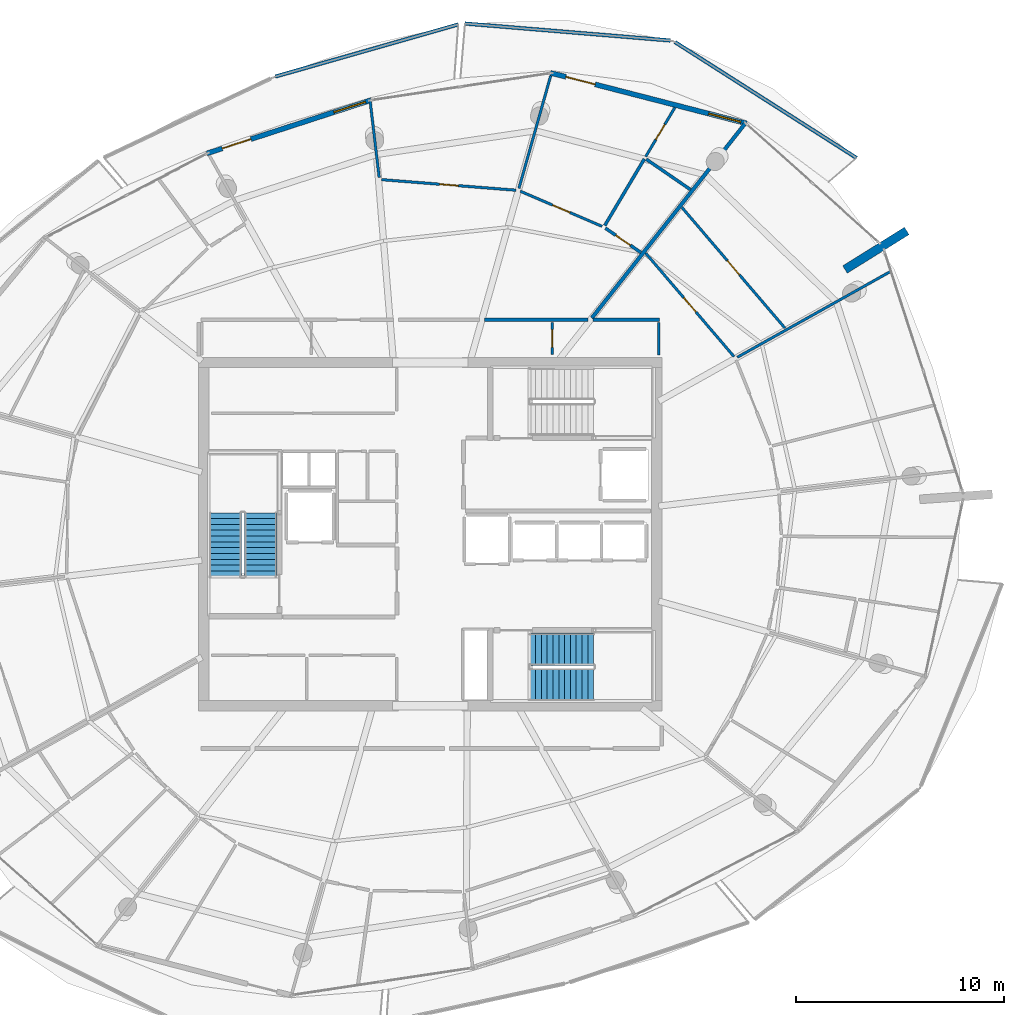
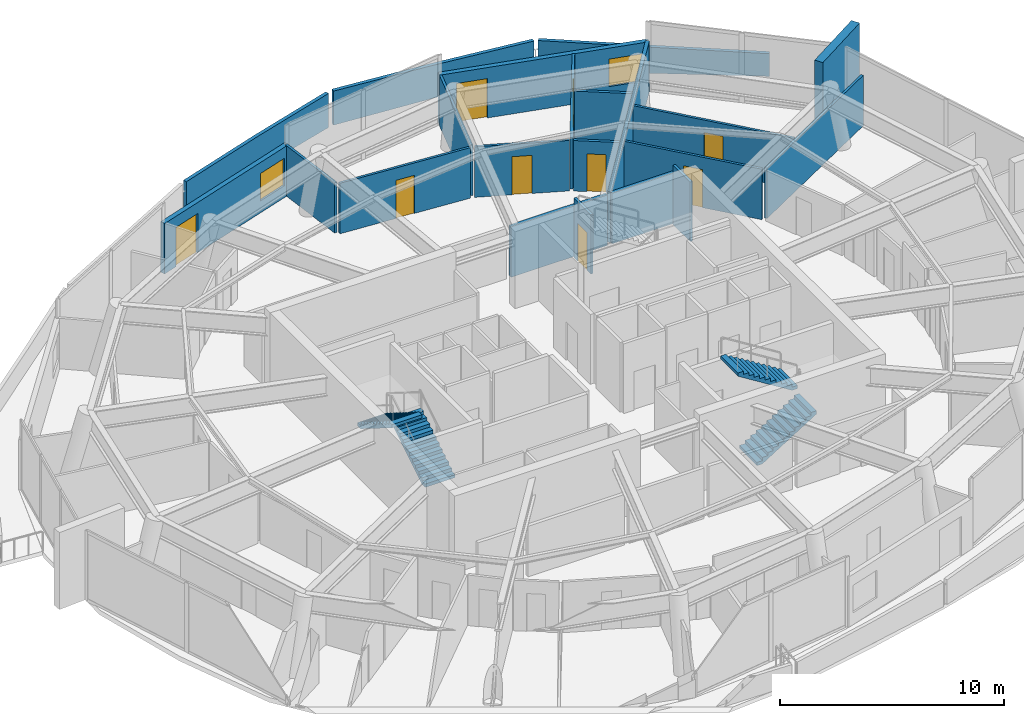
# One storey, part 13 of 19: 22 walls, 9 doors, 4 stair flights, 2 windows, 11 openings, 2 elements without a shape of their own.
"""IFC4 building model written with IfcOpenShell, lengths in metres."""

from ifc_helpers import new_model, si_unit, direction, frame, frame_2d, origin, place, context, subcontext, project, spatial, polyline, rectangle, outline, extrude, material, layer, layer_set, type_object, element, fill, aggregate, save


model = new_model("IFC4")

# Units and contexts
model_context = context("Model", 3, precision=1e-05, world=origin(), true_north=direction((0.0, 1.0)))
body_context = subcontext(model_context, "Body", "Model", "MODEL_VIEW")
ifc_project = project(units=[si_unit("LENGTHUNIT", "METRE"), si_unit("AREAUNIT", "SQUARE_METRE"), si_unit("VOLUMEUNIT", "CUBIC_METRE"), si_unit("PLANEANGLEUNIT", "RADIAN"), si_unit("MASSUNIT", "GRAM", prefix="KILO")], contexts=[model_context])

# Site, building, storey
site_placement = place(None, origin())
site = spatial("IfcSite", under=ifc_project, at=site_placement, CompositionType="ELEMENT")
building_placement = place(site_placement, origin())
building = spatial("IfcBuilding", under=site, at=building_placement, Name="Kazma Halo Residences", CompositionType="ELEMENT")
storey_placement = place(building_placement, frame((0.0, 0.0, 347.300048828125)))
storey = spatial("IfcBuildingStorey", under=building, at=storey_placement, Name="L87", CompositionType="ELEMENT", Elevation=347.300048828125)

# Walls
ifc_material_1 = material(Name="White Concrete C50/60 Balustrade", Category="concrete")
ifc_layer_1 = layer(ifc_material_1, 0.179931640625)
ifc_layer_set_1 = layer_set([ifc_layer_1], Name="White Concrete C50/60 Balustrade")
wall_type_1 = type_object("IfcWallType", Name="WL-BAL-WAVE-180", PredefinedType="PARAPET", material=ifc_layer_set_1)
wall_1_placement = place(storey_placement, frame((68.906982421875, 60.078369140625, 0.0), z_axis=(0.0, 0.0, 1.0), x_axis=(-0.842921526724, 0.538036522725, 0.0)))
element("IfcWall", 1, at=wall_1_placement, inside=storey, type_object=wall_type_1, Name="L87 white wave balustrade wall NE.1", PredefinedType="PARAPET", context=body_context, shape_type="SweptSolid", body=[
    extrude(outline(polyline([(0.0, 0.0), (10.349853515625, 0.0), (10.349853515625, 1.6318359375), (5.1748046875, 1.41796875), (0.0, 1.23291015625), (0.0, 0.0)])), frame((0.0, 0.08984375, 0.0), z_axis=(0.0, -1.0, 0.0), x_axis=(1.0, 0.0, 0.0)), (0.0, 0.0, 1.0), 0.179931640625),
])
wall_2_placement = place(storey_placement, frame((59.9619140625, 65.721435546875, 0.0), z_axis=(0.0, 0.0, 1.0), x_axis=(-0.996605284171, 0.082328048458, 0.0)))
element("IfcWall", 2, at=wall_2_placement, inside=storey, type_object=wall_type_1, Name="L87 white wave balustrade wall NE.2", PredefinedType="PARAPET", context=body_context, shape_type="SweptSolid", body=[
    extrude(outline(polyline([(0.0, 0.0), (9.91357421875, 0.0), (9.913818359375, 1.85986328125), (4.956787109375, 1.7978515625), (0.0, 1.6318359375), (0.0, 0.0)])), frame((0.0, 0.08984375, 0.0), z_axis=(0.0, -1.0, 0.0), x_axis=(1.0, 0.0, 0.0)), (0.0, 0.0, 1.0), 0.179931640625),
])
wall_3_placement = place(storey_placement, frame((49.77734375, 66.4951171875, 0.0), z_axis=(0.0, 0.0, 1.0), x_axis=(-0.961726156865, -0.274012407023, 0.0)))
element("IfcWall", 3, at=wall_3_placement, inside=storey, type_object=wall_type_1, Name="L87 white wave balustrade wall NNW.1", PredefinedType="PARAPET", context=body_context, shape_type="SweptSolid", body=[
    extrude(outline(polyline([(0.0, 0.0), (9.14599609375, 0.0), (9.14599609375, 1.6318359375), (4.572998046875, 1.7978515625), (0.0, 1.85986328125), (0.0, 0.0)])), frame((0.0, 0.08984375, 0.0), z_axis=(0.0, -1.0, 0.0), x_axis=(1.0, 0.0, 0.0)), (0.0, 0.0, 1.0), 0.179931640625),
])
ifc_material_2 = material(Name="Pale Concrete C60/75", Category="concrete")
ifc_layer_2 = layer(ifc_material_2, 0.419921875)
ifc_layer_set_2 = layer_set([ifc_layer_2], Name="Pale Concrete C60/75")
wall_type_2 = type_object("IfcWallType", Name="WL-BLADE-420", PredefinedType="SOLIDWALL", material=ifc_layer_set_2)
wall_4_placement = place(storey_placement, frame((68.3525390625, 54.7177734375, 0.0), z_axis=(0.0, 0.0, 1.0), x_axis=(0.848053161125, 0.529911158502, 0.0)))
element("IfcWall", 4, at=wall_4_placement, inside=storey, type_object=wall_type_2, Name="L87 pale concrete structural blade fin wall BW-01", PredefinedType="SOLIDWALL", context=body_context, shape_type="SweptSolid", body=[
    extrude(rectangle(XDim=3.5, YDim=0.419921875, at=frame_2d((1.75, 0.0))), origin(), (0.0, 0.0, 1.0), 4.199951171875),
])
ifc_material_3 = material(Name="Acoustic Twin-Stud Gypsum")
ifc_layer_3 = layer(ifc_material_3, 0.179931640625)
ifc_layer_set_3 = layer_set([ifc_layer_3], Name="Acoustic Twin-Stud Gypsum")
wall_type_3 = type_object("IfcWallType", Name="WL-DEM-180", PredefinedType="PARTITIONING", material=ifc_layer_set_3)
wall_5_placement = place(storey_placement, frame((56.18798828125, 52.386474609375, 0.0), z_axis=(0.0, 0.0, 1.0), x_axis=(0.619092742501, 0.78531788225, 0.0)))
element("IfcWall", 5, at=wall_5_placement, inside=storey, type_object=wall_type_3, Name="L87 apartment demising radial wall 01", PredefinedType="PARTITIONING", context=body_context, shape_type="SweptSolid", body=[
    extrude(rectangle(XDim=11.901123046875, YDim=0.179931640625, at=frame_2d((5.95068359375, 0.0))), origin(), (0.0, 0.0, 1.0), 2.7568359375),
])
wall_6_placement = place(storey_placement, frame((56.0, 52.300048828125, 0.0), z_axis=(0.0, 0.0, 1.0), x_axis=(-1.0, 0.0, 0.0)))
element("IfcWall", 6, at=wall_6_placement, inside=storey, type_object=wall_type_3, Name="L87 Penthouse 1 inner wall 1", PredefinedType="PARTITIONING", context=body_context, shape_type="SweptSolid", body=[
    extrude(rectangle(XDim=4.97509765625, YDim=0.179931640625, at=frame_2d((2.487548828125, 0.0))), origin(), (0.0, 0.0, 1.0), 2.7568359375),
])
wall_7_placement = place(storey_placement, frame((59.429931640625, 52.300048828125, 0.0), z_axis=(0.0, 0.0, 1.0), x_axis=(-1.0, 0.0, 0.0)))
element("IfcWall", 7, at=wall_7_placement, inside=storey, type_object=wall_type_3, Name="L87 Penthouse 2 inner wall 0", PredefinedType="PARTITIONING", context=body_context, shape_type="SweptSolid", body=[
    extrude(rectangle(XDim=3.18994140625, YDim=0.179931640625, at=frame_2d((1.594970703125, 0.0))), origin(), (0.0, 0.0, 1.0), 2.7568359375),
])

# Wall, openings, door, window
ifc_material_4 = material(Name="Insulated Pale-Metal Composite Wall")
ifc_layer_4 = layer(ifc_material_4, 0.239990234375)
ifc_layer_set_4 = layer_set([ifc_layer_4], Name="Insulated Pale-Metal Composite Wall")
wall_type_4 = type_object("IfcWallType", Name="WL-EXT-HOST-240", PredefinedType="SOLIDWALL", material=ifc_layer_set_4)
wall_8_placement = place(storey_placement, frame((63.619873046875, 61.73974609375, 0.0), z_axis=(0.0, 0.0, 1.0), x_axis=(-0.968389076094, 0.249444577616, 0.0)))
wall_8 = element("IfcWall", 8, at=wall_8_placement, inside=storey, type_object=wall_type_4, Name="L87 exterior terrace-access wall B02", PredefinedType="SOLIDWALL", context=body_context, shape_type="SweptSolid", body=[
    extrude(rectangle(XDim=9.727783203125, YDim=0.239990234375, at=frame_2d((4.86376953125, 0.0))), origin(), (0.0, 0.0, 1.0), 2.75),
])
opening_1_placement = place(wall_8_placement, frame((7.5078125, 0.0, 0.0)))
opening_1 = element("IfcOpeningElement", 9, at=opening_1_placement, cuts=wall_8, Name="Opening DTR-1600", PredefinedType="OPENING", context=body_context, shape_type="SweptSolid", body=[
    extrude(rectangle(XDim=1.449951171875, YDim=2.14990234375, at=frame_2d((0.72509765625, 1.074951171875))), frame((0.0, 0.1298828125, 0.0), z_axis=(0.0, -1.0, 0.0), x_axis=(1.0, 0.0, 0.0)), (0.0, 0.0, 1.0), 0.260009765625),
])
opening_2_placement = place(wall_8_placement, frame((0.280029296875, 0.0, 0.64990234375)))
opening_2 = element("IfcOpeningElement", 10, at=opening_2_placement, cuts=wall_8, Name="Opening W-1800", PredefinedType="OPENING", context=body_context, shape_type="SweptSolid", body=[
    extrude(rectangle(XDim=1.60009765625, YDim=1.5, at=frame_2d((0.800048828125, 0.75))), frame((0.0, 0.1298828125, 0.0), z_axis=(0.0, -1.0, 0.0), x_axis=(1.0, 0.0, 0.0)), (0.0, 0.0, 1.0), 0.260009765625),
])
ifc_material_5 = material(Name="Aluminium AW-6063 T6 Double-Glazed Terrace Door", Category="aluminium")
door_type_1 = type_object("IfcDoorType", Name="DR-EXT-TERR-1600", OperationType="NOTDEFINED", PredefinedType="DOOR", material=ifc_material_5)
door_1_placement = place(opening_1_placement, origin())
door_1 = element("IfcDoor", 11, at=door_1_placement, inside=storey, type_object=door_type_1, Name="L87 B02 balcony terrace door", OperationType="DOUBLE_DOOR_SLIDING", OverallHeight=2.14990234375, OverallWidth=1.449951171875, PredefinedType="DOOR", context=body_context, shape_type="SweptSolid", body=[
    extrude(rectangle(XDim=1.449951171875, YDim=2.14990234375, at=frame_2d((0.72509765625, 1.074951171875))), frame((0.0, 0.02490234375, 0.0), z_axis=(0.0, -1.0, 0.0), x_axis=(1.0, 0.0, 0.0)), (0.0, 0.0, 1.0), 0.050048828125),
])
fill(opening_1, door_1)
ifc_material_6 = material(Name="Clear Triple-Silver Low-E Glass in Aluminium AW-6063 T6 Frame", Category="aluminium")
window_type = type_object("IfcWindowType", Name="WIN-RES-1800", PartitioningType="DOUBLE_PANEL_VERTICAL", PredefinedType="WINDOW", material=ifc_material_6)
window_1_placement = place(opening_2_placement, origin())
window_1 = element("IfcWindow", 12, at=window_1_placement, inside=storey, type_object=window_type, Name="L87 B02 apartment window", OverallHeight=1.5, OverallWidth=1.60009765625, PartitioningType="SINGLE_PANEL", PredefinedType="WINDOW", context=body_context, shape_type="SweptSolid", body=[
    extrude(rectangle(XDim=1.60009765625, YDim=1.5, at=frame_2d((0.800048828125, 0.75))), frame((0.0, 0.030029296875, 0.0), z_axis=(0.0, -1.0, 0.0), x_axis=(1.0, 0.0, 0.0)), (0.0, 0.0, 1.0), 0.06005859375),
])
fill(opening_2, window_1)

wall_9_placement = place(storey_placement, frame((45.580810546875, 62.857421875, 0.0), z_axis=(0.0, 0.0, 1.0), x_axis=(-0.951053547111, -0.309026132434, 0.0)))
wall_9 = element("IfcWall", 13, at=wall_9_placement, inside=storey, type_object=wall_type_4, Name="L87 exterior terrace-access wall B04", PredefinedType="SOLIDWALL", context=body_context, shape_type="SweptSolid", body=[
    extrude(rectangle(XDim=8.2890625, YDim=0.239990234375, at=frame_2d((4.14453125, 0.0))), origin(), (0.0, 0.0, 1.0), 2.75),
])
opening_3_placement = place(wall_9_placement, frame((6.06884765625, 0.0, 0.0)))
opening_3 = element("IfcOpeningElement", 14, at=opening_3_placement, cuts=wall_9, Name="Opening DTR-1600", PredefinedType="OPENING", context=body_context, shape_type="SweptSolid", body=[
    extrude(rectangle(XDim=1.449951171875, YDim=2.14990234375, at=frame_2d((0.72509765625, 1.074951171875))), frame((0.0, 0.1298828125, 0.0), z_axis=(0.0, -1.0, 0.0), x_axis=(1.0, 0.0, 0.0)), (0.0, 0.0, 1.0), 0.260009765625),
])
opening_4_placement = place(wall_9_placement, frame((0.280029296875, 0.0, 0.64990234375)))
opening_4 = element("IfcOpeningElement", 15, at=opening_4_placement, cuts=wall_9, Name="Opening W-1800", PredefinedType="OPENING", context=body_context, shape_type="SweptSolid", body=[
    extrude(rectangle(XDim=1.60009765625, YDim=1.5, at=frame_2d((0.800048828125, 0.75))), frame((0.0, 0.1298828125, 0.0), z_axis=(0.0, -1.0, 0.0), x_axis=(1.0, 0.0, 0.0)), (0.0, 0.0, 1.0), 0.260009765625),
])
door_2_placement = place(opening_3_placement, origin())
door_2 = element("IfcDoor", 16, at=door_2_placement, inside=storey, type_object=door_type_1, Name="L87 B04 balcony terrace door", OperationType="DOUBLE_DOOR_SLIDING", OverallHeight=2.14990234375, OverallWidth=1.449951171875, PredefinedType="DOOR", context=body_context, shape_type="SweptSolid", body=[
    extrude(rectangle(XDim=1.449951171875, YDim=2.14990234375, at=frame_2d((0.72509765625, 1.074951171875))), frame((0.0, 0.02490234375, 0.0), z_axis=(0.0, -1.0, 0.0), x_axis=(1.0, 0.0, 0.0)), (0.0, 0.0, 1.0), 0.050048828125),
])
fill(opening_3, door_2)
window_2_placement = place(opening_4_placement, origin())
window_2 = element("IfcWindow", 17, at=window_2_placement, inside=storey, type_object=window_type, Name="L87 B04 apartment window", OverallHeight=1.5, OverallWidth=1.60009765625, PartitioningType="SINGLE_PANEL", PredefinedType="WINDOW", context=body_context, shape_type="SweptSolid", body=[
    extrude(rectangle(XDim=1.60009765625, YDim=1.5, at=frame_2d((0.800048828125, 0.75))), frame((0.0, 0.030029296875, 0.0), z_axis=(0.0, -1.0, 0.0), x_axis=(1.0, 0.0, 0.0)), (0.0, 0.0, 1.0), 0.06005859375),
])
fill(opening_4, window_2)

# Wall
ifc_material_7 = material(Name="Gypsum Plasterboard Partition")
ifc_layer_5 = layer(ifc_material_7, 0.125)
ifc_layer_set_5 = layer_set([ifc_layer_5], Name="Gypsum Plasterboard Partition")
wall_type_5 = type_object("IfcWallType", Name="WL-PART-125", PredefinedType="PARTITIONING", material=ifc_layer_set_5)
wall_10_placement = place(storey_placement, frame((59.409912109375, 50.6201171875, 0.0), z_axis=(0.0, 0.0, 1.0), x_axis=(0.0, 1.0, 0.0)))
element("IfcWall", 18, at=wall_10_placement, inside=storey, type_object=wall_type_5, Name="L87 east cupboard end wall", PredefinedType="PARTITIONING", context=body_context, shape_type="SweptSolid", body=[
    extrude(rectangle(XDim=1.539794921875, YDim=0.125, at=frame_2d((0.77001953125, 0.0))), origin(), (0.0, 0.0, 1.0), 3.239990234375),
])

# Wall, opening, door
wall_11_placement = place(storey_placement, frame((54.2900390625, 50.639892578125, 0.0), z_axis=(0.0, 0.0, 1.0), x_axis=(0.0, 1.0, 0.0)))
wall_11 = element("IfcWall", 19, at=wall_11_placement, inside=storey, type_object=wall_type_5, Name="L87 floor metering cupboard door wall", PredefinedType="PARTITIONING", context=body_context, shape_type="SweptSolid", body=[
    extrude(rectangle(XDim=1.52001953125, YDim=0.125, at=frame_2d((0.760009765625, 0.0))), origin(), (0.0, 0.0, 1.0), 3.239990234375),
])
opening_5_placement = place(wall_11_placement, frame((0.3349609375, 0.0, 0.0)))
opening_5 = element("IfcOpeningElement", 20, at=opening_5_placement, cuts=wall_11, Name="Opening DS-850", PredefinedType="OPENING", context=body_context, shape_type="SweptSolid", body=[
    extrude(rectangle(XDim=0.85009765625, YDim=2.06005859375, at=frame_2d((0.425048828125, 1.030029296875))), frame((0.0, 0.072509765625, 0.0), z_axis=(0.0, -1.0, 0.0), x_axis=(1.0, 0.0, 0.0)), (0.0, 0.0, 1.0), 0.14501953125),
])
ifc_material_8 = material(Name="Painted Steel Access Leaf", Category="steel")
door_type_2 = type_object("IfcDoorType", Name="DR-SVC-850", OperationType="NOTDEFINED", PredefinedType="DOOR", material=ifc_material_8)
door_3_placement = place(opening_5_placement, origin())
door_3 = element("IfcDoor", 21, at=door_3_placement, inside=storey, type_object=door_type_2, Name="L87 floor cupboard door", OperationType="SINGLE_SWING_LEFT", OverallHeight=2.06005859375, OverallWidth=0.85009765625, PredefinedType="DOOR", context=body_context, shape_type="SweptSolid", body=[
    extrude(rectangle(XDim=0.85009765625, YDim=2.06005859375, at=frame_2d((0.425048828125, 1.030029296875))), frame((0.0, 0.02490234375, 0.0), z_axis=(0.0, -1.0, 0.0), x_axis=(1.0, 0.0, 0.0)), (0.0, 0.0, 1.0), 0.050048828125),
])
fill(opening_5, door_3)

wall_12_placement = place(storey_placement, frame((58.778076171875, 60.14306640625, 0.0), z_axis=(0.0, 0.0, 1.0), x_axis=(0.510643596404, 0.85979248511, 0.0)))
wall_12 = element("IfcWall", 22, at=wall_12_placement, inside=storey, type_object=wall_type_5, Name="L87 Penthouse 1 Utility Laundry Room partition wall", PredefinedType="PARTITIONING", context=body_context, shape_type="SweptSolid", body=[
    extrude(rectangle(XDim=2.743896484375, YDim=0.125, at=frame_2d((1.3720703125, 0.0))), origin(), (0.0, 0.0, 1.0), 2.77490234375),
])
opening_6_placement = place(wall_12_placement, frame((0.947021484375, 0.0, 0.0)))
opening_6 = element("IfcOpeningElement", 23, at=opening_6_placement, cuts=wall_12, Name="Opening DB-900", PredefinedType="OPENING", context=body_context, shape_type="SweptSolid", body=[
    extrude(rectangle(XDim=0.85009765625, YDim=2.06005859375, at=frame_2d((0.425048828125, 1.030029296875))), frame((0.0, 0.072509765625, 0.0), z_axis=(0.0, -1.0, 0.0), x_axis=(1.0, 0.0, 0.0)), (0.0, 0.0, 1.0), 0.14501953125),
])
ifc_material_9 = material(Name="Moisture-Sealed Timber Leaf", Category="wood")
door_type_3 = type_object("IfcDoorType", Name="DR-BTH-900", OperationType="NOTDEFINED", PredefinedType="DOOR", material=ifc_material_9)
door_4_placement = place(opening_6_placement, origin())
door_4 = element("IfcDoor", 24, at=door_4_placement, inside=storey, type_object=door_type_3, Name="L87 Penthouse 1 Utility Laundry Room door", OperationType="SINGLE_SWING_RIGHT", OverallHeight=2.06005859375, OverallWidth=0.85009765625, PredefinedType="DOOR", context=body_context, shape_type="SweptSolid", body=[
    extrude(rectangle(XDim=0.85009765625, YDim=2.06005859375, at=frame_2d((0.425048828125, 1.030029296875))), frame((0.0, 0.02490234375, 0.0), z_axis=(0.0, -1.0, 0.0), x_axis=(1.0, 0.0, 0.0)), (0.0, 0.0, 1.0), 0.050048828125),
])
fill(opening_6, door_4)

wall_13_placement = place(storey_placement, frame((56.68310546875, 56.791259765625, 0.0), z_axis=(0.0, 0.0, 1.0), x_axis=(-0.918926533299, 0.394428734246, 0.0)))
wall_13 = element("IfcWall", 25, at=wall_13_placement, inside=storey, type_object=wall_type_5, Name="L87 Penthouse 1 Gourmet Kitchen hall wall", PredefinedType="PARTITIONING", context=body_context, shape_type="SweptSolid", body=[
    extrude(rectangle(XDim=4.279541015625, YDim=0.125, at=frame_2d((2.1396484375, 0.0))), origin(), (0.0, 0.0, 1.0), 2.7568359375),
])
opening_7_placement = place(wall_13_placement, frame((1.689697265625, 0.0, 0.0)))
opening_7 = element("IfcOpeningElement", 26, at=opening_7_placement, cuts=wall_13, Name="Opening DI-950", PredefinedType="OPENING", context=body_context, shape_type="SweptSolid", body=[
    extrude(rectangle(XDim=0.89990234375, YDim=2.080078125, at=frame_2d((0.449951171875, 1.0400390625))), frame((0.0, 0.072509765625, 0.0), z_axis=(0.0, -1.0, 0.0), x_axis=(1.0, 0.0, 0.0)), (0.0, 0.0, 1.0), 0.14501953125),
])
ifc_material_10 = material(Name="Timber Veneer Flush Leaf", Category="wood")
door_type_4 = type_object("IfcDoorType", Name="DR-INT-950", OperationType="NOTDEFINED", PredefinedType="DOOR", material=ifc_material_10)
door_5_placement = place(opening_7_placement, origin())
door_5 = element("IfcDoor", 27, at=door_5_placement, inside=storey, type_object=door_type_4, Name="L87 Penthouse 1 Gourmet Kitchen door", OperationType="SINGLE_SWING_LEFT", OverallHeight=2.080078125, OverallWidth=0.89990234375, PredefinedType="DOOR", context=body_context, shape_type="SweptSolid", body=[
    extrude(rectangle(XDim=0.89990234375, YDim=2.080078125, at=frame_2d((0.449951171875, 1.0400390625))), frame((0.0, 0.02490234375, 0.0), z_axis=(0.0, -1.0, 0.0), x_axis=(1.0, 0.0, 0.0)), (0.0, 0.0, 1.0), 0.050048828125),
])
fill(opening_7, door_5)

# Walls
wall_14_placement = place(storey_placement, frame((52.685791015625, 58.61474609375, 0.0), z_axis=(0.0, 0.0, 1.0), x_axis=(0.271455015282, 0.962451128462, 0.0)))
element("IfcWall", 28, at=wall_14_placement, inside=storey, type_object=wall_type_5, Name="L87 Penthouse 1 radial partition 2", PredefinedType="PARTITIONING", context=body_context, shape_type="SweptSolid", body=[
    extrude(rectangle(XDim=5.630126953125, YDim=0.125, at=frame_2d((2.81494140625, 0.0))), origin(), (0.0, 0.0, 1.0), 2.7568359375),
])
wall_15_placement = place(storey_placement, frame((45.970947265625, 59.143310546875, 0.0), z_axis=(0.0, 0.0, 1.0), x_axis=(-0.117541965763, 0.99306791625, 0.0)))
element("IfcWall", 29, at=wall_15_placement, inside=storey, type_object=wall_type_5, Name="L87 Penthouse 1 living radial partition 2", PredefinedType="PARTITIONING", context=body_context, shape_type="SweptSolid", body=[
    extrude(rectangle(XDim=3.69921875, YDim=0.125, at=frame_2d((1.849609375, 0.0))), origin(), (0.0, 0.0, 1.0), 2.7568359375),
])

# Wall, opening, door
wall_16_placement = place(storey_placement, frame((52.549072265625, 58.527099609375, 0.0), z_axis=(0.0, 0.0, 1.0), x_axis=(-0.996915635348, 0.078480672772, 0.0)))
wall_16 = element("IfcWall", 30, at=wall_16_placement, inside=storey, type_object=wall_type_5, Name="L87 Penthouse 1 East Formal Dining Room gallery wall", PredefinedType="PARTITIONING", context=body_context, shape_type="SweptSolid", body=[
    extrude(rectangle(XDim=6.476806640625, YDim=0.125, at=frame_2d((3.23828125, 0.0))), origin(), (0.0, 0.0, 1.0), 2.7568359375),
])
opening_8_placement = place(wall_16_placement, frame((2.788330078125, 0.0, 0.0)))
opening_8 = element("IfcOpeningElement", 31, at=opening_8_placement, cuts=wall_16, Name="Opening DI-950", PredefinedType="OPENING", context=body_context, shape_type="SweptSolid", body=[
    extrude(rectangle(XDim=0.89990234375, YDim=2.080078125, at=frame_2d((0.449951171875, 1.0400390625))), frame((0.0, 0.072509765625, 0.0), z_axis=(0.0, -1.0, 0.0), x_axis=(1.0, 0.0, 0.0)), (0.0, 0.0, 1.0), 0.14501953125),
])
door_6_placement = place(opening_8_placement, origin())
door_6 = element("IfcDoor", 32, at=door_6_placement, inside=storey, type_object=door_type_4, Name="L87 Penthouse 1 East Formal Dining Room door", OperationType="SINGLE_SWING_RIGHT", OverallHeight=2.080078125, OverallWidth=0.89990234375, PredefinedType="DOOR", context=body_context, shape_type="SweptSolid", body=[
    extrude(rectangle(XDim=0.89990234375, YDim=2.080078125, at=frame_2d((0.449951171875, 1.0400390625))), frame((0.0, 0.02490234375, 0.0), z_axis=(0.0, -1.0, 0.0), x_axis=(1.0, 0.0, 0.0)), (0.0, 0.0, 1.0), 0.050048828125),
])
fill(opening_8, door_6)

# Wall
wall_17_placement = place(storey_placement, frame((63.177978515625, 50.5, 0.0), z_axis=(0.0, 0.0, 1.0), x_axis=(0.872495656661, 0.488621867201, 0.0)))
element("IfcWall", 33, at=wall_17_placement, inside=storey, type_object=wall_type_5, Name="L87 Penthouse 2 radial partition 0", PredefinedType="PARTITIONING", context=body_context, shape_type="SweptSolid", body=[
    extrude(rectangle(XDim=8.439697265625, YDim=0.125, at=frame_2d((4.2197265625, 0.0))), origin(), (0.0, 0.0, 1.0), 2.7568359375),
])

# Wall, opening, door
wall_18_placement = place(storey_placement, frame((63.019287109375, 50.534912109375, 0.0), z_axis=(0.0, 0.0, 1.0), x_axis=(-0.649450715324, 0.760403687764, 0.0)))
wall_18 = element("IfcWall", 34, at=wall_18_placement, inside=storey, type_object=wall_type_5, Name="L87 Penthouse 2 North Study hall wall", PredefinedType="PARTITIONING", context=body_context, shape_type="SweptSolid", body=[
    extrude(rectangle(XDim=6.528564453125, YDim=0.125, at=frame_2d((3.26416015625, 0.0))), origin(), (0.0, 0.0, 1.0), 2.7568359375),
])
opening_9_placement = place(wall_18_placement, frame((2.814208984375, 0.0, 0.0)))
opening_9 = element("IfcOpeningElement", 35, at=opening_9_placement, cuts=wall_18, Name="Opening DI-950", PredefinedType="OPENING", context=body_context, shape_type="SweptSolid", body=[
    extrude(rectangle(XDim=0.89990234375, YDim=2.080078125, at=frame_2d((0.449951171875, 1.0400390625))), frame((0.0, 0.072509765625, 0.0), z_axis=(0.0, -1.0, 0.0), x_axis=(1.0, 0.0, 0.0)), (0.0, 0.0, 1.0), 0.14501953125),
])
door_7_placement = place(opening_9_placement, origin())
door_7 = element("IfcDoor", 36, at=door_7_placement, inside=storey, type_object=door_type_4, Name="L87 Penthouse 2 North Study door", OperationType="SINGLE_SWING_RIGHT", OverallHeight=2.080078125, OverallWidth=0.89990234375, PredefinedType="DOOR", context=body_context, shape_type="SweptSolid", body=[
    extrude(rectangle(XDim=0.89990234375, YDim=2.080078125, at=frame_2d((0.449951171875, 1.0400390625))), frame((0.0, 0.02490234375, 0.0), z_axis=(0.0, -1.0, 0.0), x_axis=(1.0, 0.0, 0.0)), (0.0, 0.0, 1.0), 0.050048828125),
])
fill(opening_9, door_7)

wall_19_placement = place(storey_placement, frame((65.466552734375, 51.905517578125, 0.0), z_axis=(0.0, 0.0, 1.0), x_axis=(-0.649439942486, 0.760412888571, 0.0)))
wall_19 = element("IfcWall", 37, at=wall_19_placement, inside=storey, type_object=wall_type_5, Name="L87 Penthouse 2 South Master Bedroom divider wall", PredefinedType="PARTITIONING", context=body_context, shape_type="SweptSolid", body=[
    extrude(rectangle(XDim=7.623046875, YDim=0.125, at=frame_2d((3.8115234375, 0.0))), origin(), (0.0, 0.0, 1.0), 2.7568359375),
])
opening_10_placement = place(wall_19_placement, frame((3.361572265625, 0.0, 0.0)))
opening_10 = element("IfcOpeningElement", 38, at=opening_10_placement, cuts=wall_19, Name="Opening DI-950", PredefinedType="OPENING", context=body_context, shape_type="SweptSolid", body=[
    extrude(rectangle(XDim=0.89990234375, YDim=2.080078125, at=frame_2d((0.449951171875, 1.0400390625))), frame((0.0, 0.072509765625, 0.0), z_axis=(0.0, -1.0, 0.0), x_axis=(1.0, 0.0, 0.0)), (0.0, 0.0, 1.0), 0.14501953125),
])
door_8_placement = place(opening_10_placement, origin())
door_8 = element("IfcDoor", 39, at=door_8_placement, inside=storey, type_object=door_type_4, Name="L87 Penthouse 2 South Master Bedroom door", OperationType="SINGLE_SWING_LEFT", OverallHeight=2.080078125, OverallWidth=0.89990234375, PredefinedType="DOOR", context=body_context, shape_type="SweptSolid", body=[
    extrude(rectangle(XDim=0.89990234375, YDim=2.080078125, at=frame_2d((0.449951171875, 1.0400390625))), frame((0.0, 0.02490234375, 0.0), z_axis=(0.0, -1.0, 0.0), x_axis=(1.0, 0.0, 0.0)), (0.0, 0.0, 1.0), 0.050048828125),
])
fill(opening_10, door_8)

ifc_material_11 = material(Name="Moisture-Resistant Gypsum")
ifc_layer_6 = layer(ifc_material_11, 0.14990234375)
ifc_layer_set_6 = layer_set([ifc_layer_6], Name="Moisture-Resistant Gypsum")
wall_type_6 = type_object("IfcWallType", Name="WL-WET-150", PredefinedType="PARTITIONING", material=ifc_layer_set_6)
wall_20_placement = place(storey_placement, frame((58.543212890625, 55.534912109375, 0.0), z_axis=(0.0, 0.0, 1.0), x_axis=(-0.824355515216, 0.566072419865, 0.0)))
wall_20 = element("IfcWall", 40, at=wall_20_placement, inside=storey, type_object=wall_type_6, Name="L87 Penthouse 1 Guest Bathroom hall wall", PredefinedType="PARTITIONING", context=body_context, shape_type="SweptSolid", body=[
    extrude(rectangle(XDim=2.06640625, YDim=0.14990234375, at=frame_2d((1.033203125, 0.0))), origin(), (0.0, 0.0, 1.0), 2.7568359375),
])
opening_11_placement = place(wall_20_placement, frame((0.608154296875, 0.0, 0.0)))
opening_11 = element("IfcOpeningElement", 41, at=opening_11_placement, cuts=wall_20, Name="Opening DB-900", PredefinedType="OPENING", context=body_context, shape_type="SweptSolid", body=[
    extrude(rectangle(XDim=0.85009765625, YDim=2.06005859375, at=frame_2d((0.425048828125, 1.030029296875))), frame((0.0, 0.0849609375, 0.0), z_axis=(0.0, -1.0, 0.0), x_axis=(1.0, 0.0, 0.0)), (0.0, 0.0, 1.0), 0.169921875),
])
door_9_placement = place(opening_11_placement, origin())
door_9 = element("IfcDoor", 42, at=door_9_placement, inside=storey, type_object=door_type_3, Name="L87 Penthouse 1 Guest Bathroom door", OperationType="SINGLE_SWING_LEFT", OverallHeight=2.06005859375, OverallWidth=0.85009765625, PredefinedType="DOOR", context=body_context, shape_type="SweptSolid", body=[
    extrude(rectangle(XDim=0.85009765625, YDim=2.06005859375, at=frame_2d((0.425048828125, 1.030029296875))), frame((0.0, 0.02490234375, 0.0), z_axis=(0.0, -1.0, 0.0), x_axis=(1.0, 0.0, 0.0)), (0.0, 0.0, 1.0), 0.050048828125),
])
fill(opening_11, door_9)

# Walls
wall_21_placement = place(storey_placement, frame((60.926513671875, 58.55859375, 0.0), z_axis=(0.0, 0.0, 1.0), x_axis=(-0.824349211277, 0.566081600007, 0.0)))
element("IfcWall", 43, at=wall_21_placement, inside=storey, type_object=wall_type_6, Name="L87 Penthouse 1 Guest Bathroom back wall", PredefinedType="PARTITIONING", context=body_context, shape_type="SweptSolid", body=[
    extrude(rectangle(XDim=2.572265625, YDim=0.14990234375, at=frame_2d((1.2861328125, 0.0))), origin(), (0.0, 0.0, 1.0), 2.7568359375),
])
wall_22_placement = place(storey_placement, frame((56.811767578125, 56.8330078125, 0.0), z_axis=(0.0, 0.0, 1.0), x_axis=(0.510726768545, 0.859743082491, 0.0)))
element("IfcWall", 44, at=wall_22_placement, inside=storey, type_object=wall_type_6, Name="L87 Penthouse 1 Guest Bathroom side wall", PredefinedType="PARTITIONING", context=body_context, shape_type="SweptSolid", body=[
    extrude(rectangle(XDim=3.719970703125, YDim=0.14990234375, at=frame_2d((1.85986328125, 0.0))), origin(), (0.0, 0.0, 1.0), 2.77490234375),
])

# Stair, stair flights
ifc_material_12 = material(Name="Concrete C50/60", Category="concrete")
stair_type = type_object("IfcStairType", Name="STR-RES2", PredefinedType="HALF_TURN_STAIR", material=ifc_material_12)
stair_1_placement = place(storey_placement, origin())
stair_1 = element("IfcStair", 45, at=stair_1_placement, inside=storey, type_object=stair_type, Name="L87 Core exit stair ST-01", PredefinedType="HALF_TURN_STAIR")
stair_flight_type = type_object("IfcStairFlightType", Name="STR-RES2-FLT", PredefinedType="STRAIGHT", material=ifc_material_12)
stair_flight_1_placement = place(storey_placement, frame((40.27490234375, 39.949951171875, 0.0), z_axis=(0.0, 0.0, 1.0), x_axis=(0.0, 1.0, 0.0)))
stair_flight_1 = element("IfcStairFlight", 46, at=stair_flight_1_placement, type_object=stair_flight_type, Name="ST-01 flight 1", NumberOfRisers=12, NumberOfTreads=11, PredefinedType="STRAIGHT", RiserHeight=0.175, TreadLength=0.28, context=body_context, shape_type="SweptSolid", body=[
    extrude(outline(polyline([(0.0, 0.0), (0.0, 0.175048828125), (0.280029296875, 0.175048828125), (0.280029296875, 0.35009765625), (0.56005859375, 0.35009765625), (0.56005859375, 0.52490234375), (0.840087890625, 0.52490234375), (0.840087890625, 0.699951171875), (1.1201171875, 0.699951171875), (1.1201171875, 0.875), (1.39990234375, 0.875), (1.39990234375, 1.050048828125), (1.679931640625, 1.050048828125), (1.679931640625, 1.22509765625), (1.9599609375, 1.22509765625), (1.9599609375, 1.39990234375), (2.239990234375, 1.39990234375), (2.239990234375, 1.574951171875), (2.52001953125, 1.574951171875), (2.52001953125, 1.75), (2.800048828125, 1.75), (2.800048828125, 1.925048828125), (3.080078125, 1.925048828125), (3.080078125, 2.10009765625), (3.080078125, 1.748291015625), (0.28271484375, 0.0), (0.0, 0.0)])), frame((0.0, 0.77490234375, 0.0), z_axis=(0.0, -1.0, 0.0), x_axis=(1.0, 0.0, 0.0)), (0.0, 0.0, 1.0), 1.550048828125),
])
stair_flight_2_placement = place(storey_placement, frame((38.574951171875, 43.030029296875, 2.099853515625), z_axis=(0.0, 0.0, 1.0), x_axis=(0.0, -1.0, 0.0)))
stair_flight_2 = element("IfcStairFlight", 47, at=stair_flight_2_placement, type_object=stair_flight_type, Name="ST-01 flight 2", NumberOfRisers=12, NumberOfTreads=11, PredefinedType="STRAIGHT", RiserHeight=0.175, TreadLength=0.28, context=body_context, shape_type="SweptSolid", body=[
    extrude(outline(polyline([(0.0, 0.0), (0.0, 0.175048828125), (0.280029296875, 0.175048828125), (0.280029296875, 0.35009765625), (0.56005859375, 0.35009765625), (0.56005859375, 0.52490234375), (0.840087890625, 0.52490234375), (0.840087890625, 0.699951171875), (1.1201171875, 0.699951171875), (1.1201171875, 0.875), (1.39990234375, 0.875), (1.39990234375, 1.050048828125), (1.679931640625, 1.050048828125), (1.679931640625, 1.22509765625), (1.9599609375, 1.22509765625), (1.9599609375, 1.39990234375), (2.239990234375, 1.39990234375), (2.239990234375, 1.574951171875), (2.52001953125, 1.574951171875), (2.52001953125, 1.75), (2.800048828125, 1.75), (2.800048828125, 1.925048828125), (3.080078125, 1.925048828125), (3.080078125, 2.10009765625), (3.080078125, 1.748291015625), (0.28271484375, 0.0), (0.0, 0.0)])), frame((0.0, 0.77490234375, 0.0), z_axis=(0.0, -1.0, 0.0), x_axis=(1.0, 0.0, 0.0)), (0.0, 0.0, 1.0), 1.550048828125),
])
aggregate(stair_1, [stair_flight_1, stair_flight_2])

stair_2_placement = place(storey_placement, origin())
stair_2 = element("IfcStair", 48, at=stair_2_placement, inside=storey, type_object=stair_type, Name="L87 Core exit stair ST-03", PredefinedType="HALF_TURN_STAIR")
stair_flight_3_placement = place(storey_placement, frame((53.199951171875, 34.77490234375, 0.0), z_axis=(0.0, 0.0, 1.0), x_axis=(1.0, 0.0, 0.0)))
stair_flight_3 = element("IfcStairFlight", 49, at=stair_flight_3_placement, type_object=stair_flight_type, Name="ST-03 flight 1", NumberOfRisers=12, NumberOfTreads=11, PredefinedType="STRAIGHT", RiserHeight=0.175, TreadLength=0.28, context=body_context, shape_type="SweptSolid", body=[
    extrude(outline(polyline([(0.0, 0.0), (0.0, 0.175048828125), (0.280029296875, 0.175048828125), (0.280029296875, 0.35009765625), (0.56005859375, 0.35009765625), (0.56005859375, 0.52490234375), (0.840087890625, 0.52490234375), (0.840087890625, 0.699951171875), (1.1201171875, 0.699951171875), (1.1201171875, 0.875), (1.39990234375, 0.875), (1.39990234375, 1.050048828125), (1.679931640625, 1.050048828125), (1.679931640625, 1.22509765625), (1.9599609375, 1.22509765625), (1.9599609375, 1.39990234375), (2.239990234375, 1.39990234375), (2.239990234375, 1.574951171875), (2.52001953125, 1.574951171875), (2.52001953125, 1.75), (2.800048828125, 1.75), (2.800048828125, 1.925048828125), (3.080078125, 1.925048828125), (3.080078125, 2.10009765625), (3.080078125, 1.748291015625), (0.28271484375, 0.0), (0.0, 0.0)])), frame((0.0, 0.77490234375, 0.0), z_axis=(0.0, -1.0, 0.0), x_axis=(1.0, 0.0, 0.0)), (0.0, 0.0, 1.0), 1.550048828125),
])
stair_flight_4_placement = place(storey_placement, frame((56.280029296875, 36.47509765625, 2.099853515625), z_axis=(0.0, 0.0, 1.0), x_axis=(-1.0, 0.0, 0.0)))
stair_flight_4 = element("IfcStairFlight", 50, at=stair_flight_4_placement, type_object=stair_flight_type, Name="ST-03 flight 2", NumberOfRisers=12, NumberOfTreads=11, PredefinedType="STRAIGHT", RiserHeight=0.175, TreadLength=0.28, context=body_context, shape_type="SweptSolid", body=[
    extrude(outline(polyline([(0.0, 0.0), (0.0, 0.175048828125), (0.280029296875, 0.175048828125), (0.280029296875, 0.35009765625), (0.56005859375, 0.35009765625), (0.56005859375, 0.52490234375), (0.840087890625, 0.52490234375), (0.840087890625, 0.699951171875), (1.1201171875, 0.699951171875), (1.1201171875, 0.875), (1.39990234375, 0.875), (1.39990234375, 1.050048828125), (1.679931640625, 1.050048828125), (1.679931640625, 1.22509765625), (1.9599609375, 1.22509765625), (1.9599609375, 1.39990234375), (2.239990234375, 1.39990234375), (2.239990234375, 1.574951171875), (2.52001953125, 1.574951171875), (2.52001953125, 1.75), (2.800048828125, 1.75), (2.800048828125, 1.925048828125), (3.080078125, 1.925048828125), (3.080078125, 2.10009765625), (3.080078125, 1.748291015625), (0.28271484375, 0.0), (0.0, 0.0)])), frame((0.0, 0.77490234375, 0.0), z_axis=(0.0, -1.0, 0.0), x_axis=(1.0, 0.0, 0.0)), (0.0, 0.0, 1.0), 1.550048828125),
])
aggregate(stair_2, [stair_flight_3, stair_flight_4])

save(model, "model.ifc")
